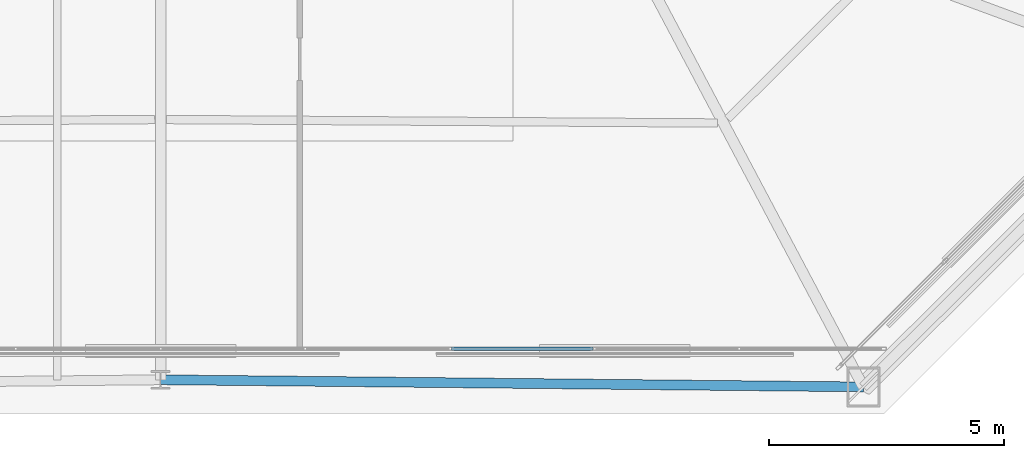
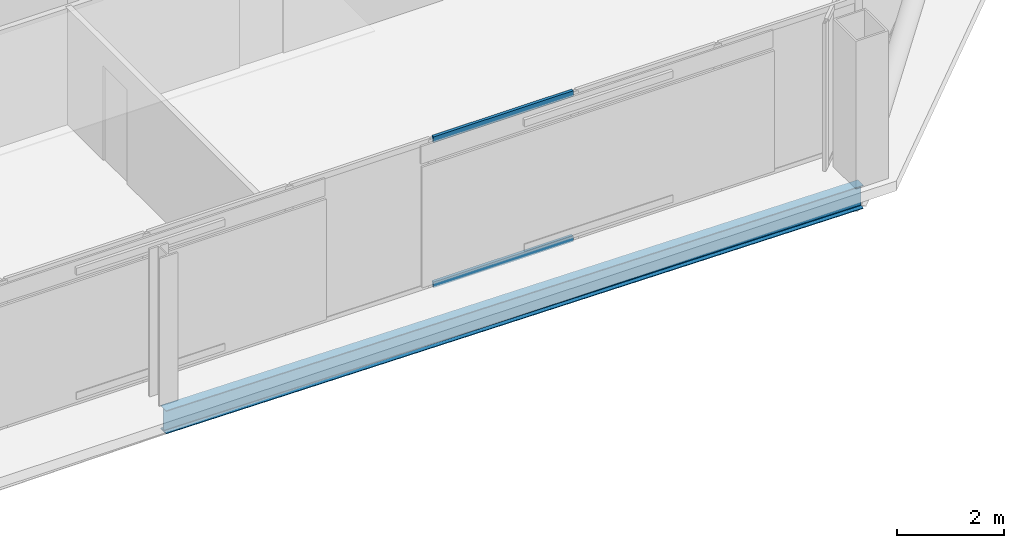
# One storey, part 11 of 39: 2 members, 1 beam, 1 element without a shape of its own.
"""IFC4 building model written with IfcOpenShell, lengths in metres."""

from ifc_helpers import new_model, si_unit, direction, frame, origin, origin_2d, place, context, subcontext, project, spatial, hollow_rectangle, i_section, extrude, material, layer, layer_set, material_profile, profile_set, type_object, element, aggregate, save


model = new_model("IFC4")

# Units and contexts
model_context = context("Model", 3, precision=1e-05, world=origin(), true_north=direction((0.0, 1.0)))
body_context = subcontext(model_context, "Body", "Model", "MODEL_VIEW")
ifc_project = project(units=[si_unit("LENGTHUNIT", "METRE"), si_unit("AREAUNIT", "SQUARE_METRE"), si_unit("VOLUMEUNIT", "CUBIC_METRE"), si_unit("PLANEANGLEUNIT", "RADIAN"), si_unit("MASSUNIT", "GRAM", prefix="KILO")], contexts=[model_context])

# Site, building, storey
site_placement = place(None, origin())
site = spatial("IfcSite", under=ifc_project, at=site_placement, CompositionType="ELEMENT")
building_placement = place(site_placement, origin())
building = spatial("IfcBuilding", under=site, at=building_placement, Name="Caelvoria Tower", CompositionType="ELEMENT")
storey_placement = place(building_placement, frame((0.0, 0.0, 198.60009765625)))
storey = spatial("IfcBuildingStorey", under=building, at=storey_placement, Name="L52", CompositionType="ELEMENT", Elevation=198.60009765625)

# Curtain wall, members
ifc_material_1 = material(Name="Anodised Bronze Aluminium and Low-E Glass", Category="aluminium")
ifc_layer = layer(ifc_material_1, 0.175048828125, Name="Anodised Bronze Aluminium and Low-E Glass")
ifc_layer_set = layer_set([ifc_layer], Name="CW System 4 High-Zone Tapered Crystal Facade - Anodised Bronze Aluminium and Low-E Glass")
curtain_wall_type = type_object("IfcCurtainWallType", Name="CW System 4 High-Zone Tapered Crystal Facade", PredefinedType="NOTDEFINED", material=ifc_layer_set)
curtain_wall_placement = place(storey_placement, origin())
curtain_wall = element("IfcCurtainWall", 1, at=curtain_wall_placement, inside=storey, type_object=curtain_wall_type, Name="CW-04 Curtain Wall L52-E0", PredefinedType="NOTDEFINED")
ifc_material_2 = material(Name="Anodised Bronze Architectural Aluminium", Category="aluminium")
ifc_material_profile_1 = material_profile(ifc_material_2, hollow_rectangle(XDim=0.06494140625, YDim=0.1298828125, WallThickness=0.00341796875, at=origin_2d()), Name="Anodised Bronze Architectural Aluminium")
ifc_profile_set_1 = profile_set([ifc_material_profile_1], Name="CW_TRAN_65X130 - Anodised Bronze Architectural Aluminium")
member_type = type_object("IfcMemberType", Name="Curtain Wall Transom 65x130 Bronze Aluminium", PredefinedType="USERDEFINED", material=ifc_profile_set_1)
member_1_placement = place(storey_placement, frame((52.1923828125, 13.580078125, 0.032470703125), z_axis=(1.0, 0.0, 0.0), x_axis=(0.0, 1.0, 0.0)))
member_1 = element("IfcMember", 2, at=member_1_placement, type_object=member_type, Name="CW-04 transom 8.1", ObjectType="TRANSOM", PredefinedType="USERDEFINED", context=body_context, shape_type="SweptSolid", body=[
    extrude(hollow_rectangle(XDim=0.06494140625, YDim=0.1298828125, WallThickness=0.00341796875, at=origin_2d()), origin(), (0.0, 0.0, 1.0), 3.01513671875),
])
member_2_placement = place(storey_placement, frame((52.1923828125, 13.580078125, 3.34228515625), z_axis=(1.0, 0.0, 0.0), x_axis=(0.0, 1.0, 0.0)))
member_2 = element("IfcMember", 3, at=member_2_placement, type_object=member_type, Name="CW-04 transom 8.2", ObjectType="TRANSOM", PredefinedType="USERDEFINED", context=body_context, shape_type="SweptSolid", body=[
    extrude(hollow_rectangle(XDim=0.06494140625, YDim=0.1298828125, WallThickness=0.00341796875, at=origin_2d()), origin(), (0.0, 0.0, 1.0), 3.01513671875),
])
aggregate(curtain_wall, [member_1, member_2])

# Beam
ifc_material_3 = material(Name="Structural Steel ASTM A992 Gr.50", Category="steel")
ifc_material_profile_2 = material_profile(ifc_material_3, i_section(OverallWidth=0.208984375, OverallDepth=0.532958984375, WebThickness=0.01025390625, FlangeThickness=0.015625, FilletRadius=0.01611328125, at=origin_2d()), Name="Structural Steel ASTM A992 Gr.50")
ifc_profile_set_2 = profile_set([ifc_material_profile_2], Name="W530X92 - Structural Steel ASTM A992 Gr.50")
beam_type = type_object("IfcBeamType", Name="Upper Zone Spandrel W530X92", PredefinedType="BEAM", material=ifc_profile_set_2)
beam_placement = place(storey_placement, frame((46.0, 12.919921875, -0.49169921875), z_axis=(0.999948636769, -0.01013527622, 0.0), x_axis=(0.01013527622, 0.999948636769, 0.0)))
element("IfcBeam", 4, at=beam_placement, inside=storey, type_object=beam_type, Name="Perimeter Spandrel Girder L52-01", PredefinedType="BEAM", context=body_context, shape_type="SweptSolid", body=[
    extrude(i_section(OverallWidth=0.208984375, OverallDepth=0.532958984375, WebThickness=0.01025390625, FlangeThickness=0.015625, FilletRadius=0.01611328125, at=origin_2d()), origin(), (0.0, 0.0, 1.0), 14.958740234375),
])

save(model, "model.ifc")
